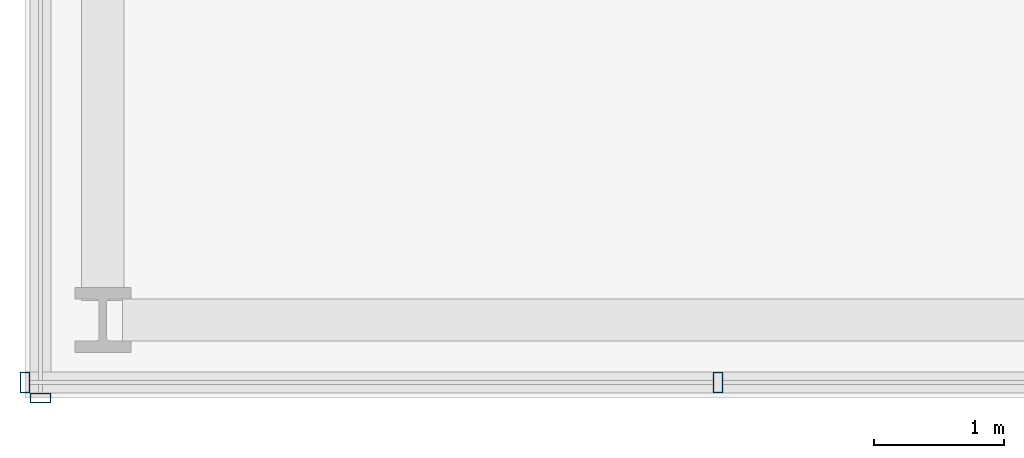
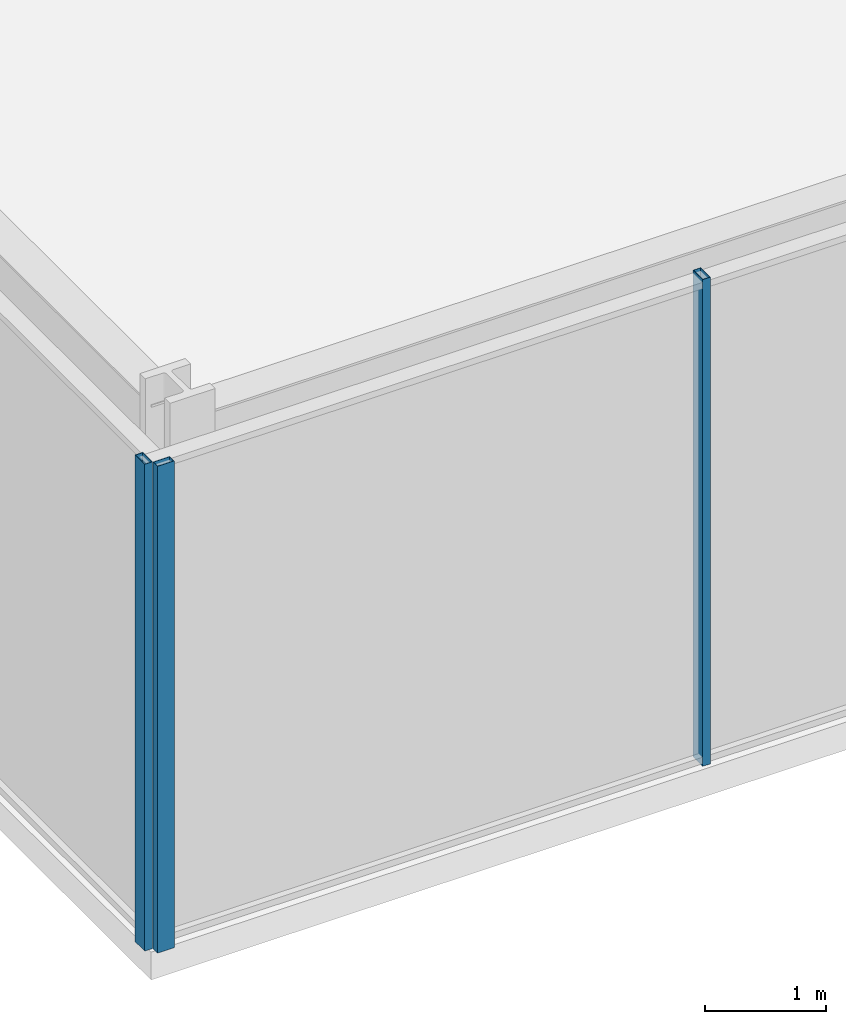
# One storey, part 2 of 49: 3 members, 2 elements without a shape of their own.
"""IFC4 building model written with IfcOpenShell, lengths in metres."""

from ifc_helpers import new_model, si_unit, direction, frame, origin, origin_2d, place, context, subcontext, project, spatial, hollow_rectangle, extrude, material, material_profile, profile_set, type_object, element, aggregate, save


model = new_model("IFC4")

# Units and contexts
model_context = context("Model", 3, precision=1e-05, world=origin(), true_north=direction((0.0, 1.0)))
body_context = subcontext(model_context, "Body", "Model", "MODEL_VIEW")
ifc_project = project(units=[si_unit("LENGTHUNIT", "METRE"), si_unit("AREAUNIT", "SQUARE_METRE"), si_unit("VOLUMEUNIT", "CUBIC_METRE"), si_unit("PLANEANGLEUNIT", "RADIAN"), si_unit("MASSUNIT", "GRAM", prefix="KILO")], contexts=[model_context])

# Site, building, storey
site_placement = place(None, origin())
site = spatial("IfcSite", under=ifc_project, at=site_placement, CompositionType="ELEMENT")
building_placement = place(site_placement, origin())
building = spatial("IfcBuilding", under=site, at=building_placement, Name="Kolvaren Belvedere", CompositionType="ELEMENT")
storey_placement = place(building_placement, frame((0.0, 0.0, 10.0)))
storey = spatial("IfcBuildingStorey", under=building, at=storey_placement, Name="L03", CompositionType="ELEMENT", Elevation=10.0)

# Curtain wall, members
ifc_material_1 = material(Name="Anodised pale-metal aluminium AA 6063-T6", Category="aluminium")
curtain_wall_type = type_object("IfcCurtainWallType", Name="CW-POD-A", PredefinedType="NOTDEFINED", material=ifc_material_1)
curtain_wall_1_placement = place(storey_placement, origin())
curtain_wall_1 = element("IfcCurtainWall", 1, at=curtain_wall_1_placement, inside=storey, type_object=curtain_wall_type, Name="L03 Unitised Curtain Wall FCW-L03-SEG1", PredefinedType="NOTDEFINED")
ifc_material_2 = material(Name="Anodised pale-metal aluminium AA 6063-T6", Category="aluminium")
ifc_material_profile = material_profile(ifc_material_2, hollow_rectangle(XDim=0.074951171875, YDim=0.159912109375, WallThickness=0.00439453125, at=origin_2d()), Name="ALU-MUL-160X75")
ifc_profile_set = profile_set([ifc_material_profile], Name="Anodised pale-metal aluminium AA 6063-T6")
member_type = type_object("IfcMemberType", Name="CW-MUL-160", PredefinedType="MULLION", material=ifc_profile_set)
member_1_placement = place(storey_placement, frame((-22.666748046875, -28.280029296875, 0.0), z_axis=(0.0, 0.0, 1.0), x_axis=(1.0, 0.0, 0.0)))
member_1 = element("IfcMember", 2, at=member_1_placement, type_object=member_type, Name="FCW-L03-SEG1 Unitised Mullion 3", PredefinedType="MULLION", context=body_context, shape_type="SweptSolid", body=[
    extrude(hollow_rectangle(XDim=0.074951171875, YDim=0.159912109375, WallThickness=0.00439453125, at=origin_2d()), origin(), (0.0, 0.0, 1.0), 4.919921875),
])
member_2_placement = place(storey_placement, frame((-28.0, -28.280029296875, 0.0), z_axis=(0.0, 0.0, 1.0), x_axis=(1.0, 0.0, 0.0)))
member_2 = element("IfcMember", 3, at=member_2_placement, type_object=member_type, Name="FCW-L03-SEG1 Unitised Mullion 4", PredefinedType="MULLION", context=body_context, shape_type="SweptSolid", body=[
    extrude(hollow_rectangle(XDim=0.074951171875, YDim=0.159912109375, WallThickness=0.00439453125, at=origin_2d()), origin(), (0.0, 0.0, 1.0), 4.919921875),
])
aggregate(curtain_wall_1, [member_1, member_2])

# Curtain wall, member
curtain_wall_2_placement = place(storey_placement, origin())
curtain_wall_2 = element("IfcCurtainWall", 4, at=curtain_wall_2_placement, inside=storey, type_object=curtain_wall_type, Name="L03 Unitised Curtain Wall FCW-L03-SEG8", PredefinedType="NOTDEFINED")
member_3_placement = place(storey_placement, frame((-27.8798828125, -28.39990234375, 0.0), z_axis=(0.0, 0.0, 1.0), x_axis=(0.0, 1.0, 0.0)))
member_3 = element("IfcMember", 5, at=member_3_placement, type_object=member_type, Name="FCW-L03-SEG8 Unitised Mullion 1", PredefinedType="MULLION", context=body_context, shape_type="SweptSolid", body=[
    extrude(hollow_rectangle(XDim=0.074951171875, YDim=0.159912109375, WallThickness=0.00439453125, at=origin_2d()), origin(), (0.0, 0.0, 1.0), 4.919921875),
])
aggregate(curtain_wall_2, [member_3])

save(model, "model.ifc")
